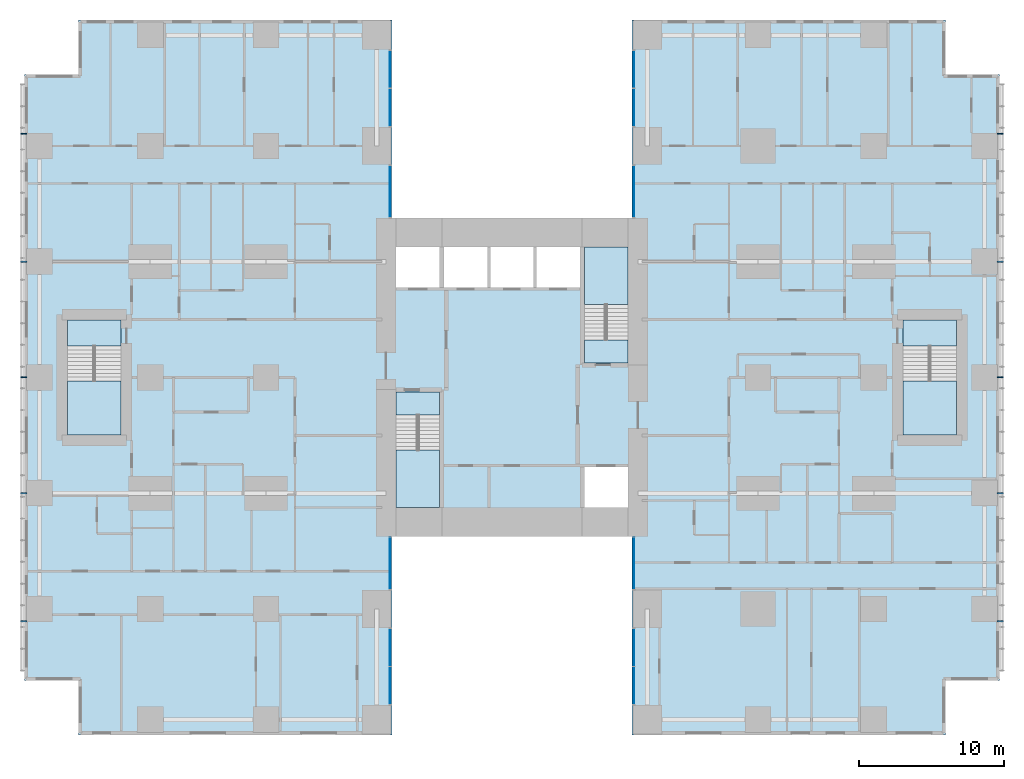
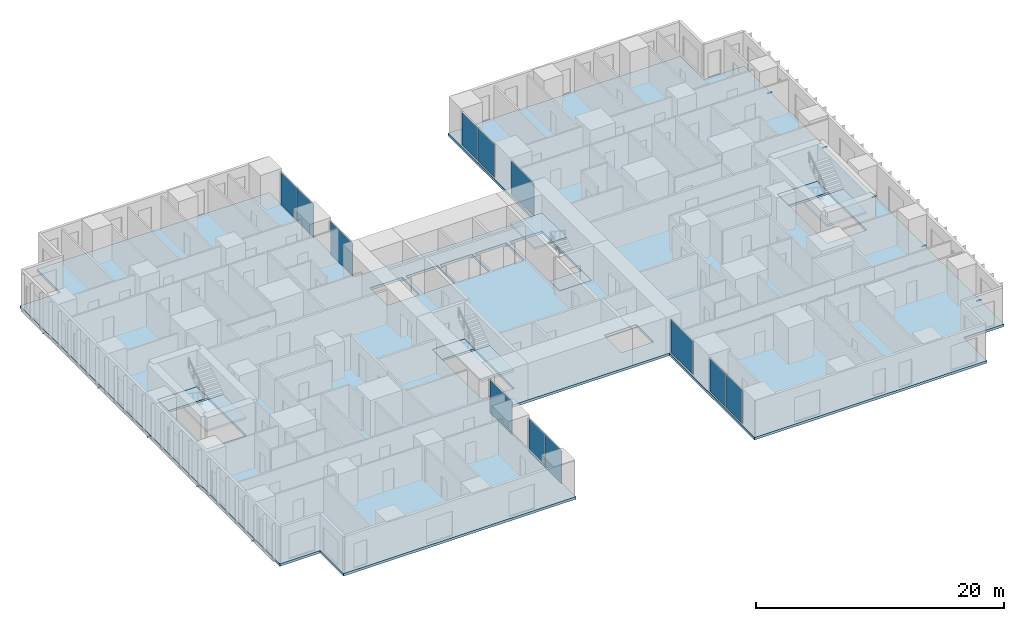
# One storey, part 7 of 20: 12 plates, 10 members, 9 slabs, 12 elements without a shape of their own.
"""IFC4 building model written with IfcOpenShell, lengths in metres."""

from ifc_helpers import new_model, si_unit, direction, frame, origin, origin_2d, place, context, subcontext, project, spatial, polyline, rectangle, hollow_rectangle, outline, extrude, material, layer, layer_set, material_profile, profile_set, type_object, element, aggregate, save


model = new_model("IFC4")

# Units and contexts
model_context = context("Model", 3, precision=1e-05, world=origin(), true_north=direction((0.0, 1.0)))
body_context = subcontext(model_context, "Body", "Model", "MODEL_VIEW")
ifc_project = project(units=[si_unit("LENGTHUNIT", "METRE"), si_unit("AREAUNIT", "SQUARE_METRE"), si_unit("VOLUMEUNIT", "CUBIC_METRE"), si_unit("PLANEANGLEUNIT", "RADIAN"), si_unit("MASSUNIT", "GRAM", prefix="KILO")], contexts=[model_context])

# Site, building, storey
site_placement = place(None, origin())
site = spatial("IfcSite", under=ifc_project, at=site_placement, CompositionType="ELEMENT")
building_placement = place(site_placement, origin())
building = spatial("IfcBuilding", under=site, at=building_placement, Name="Cleftline Residences", CompositionType="ELEMENT")
storey_placement = place(building_placement, frame((0.0, 0.0, 185.800048828125)))
storey = spatial("IfcBuildingStorey", under=building, at=storey_placement, Name="L48", CompositionType="ELEMENT", Elevation=185.800048828125)

# Members
ifc_material_1 = material(Name="Steel S355, hot-dip galvanised", Category="steel")
ifc_material_profile = material_profile(ifc_material_1, hollow_rectangle(XDim=0.10009765625, YDim=0.10009765625, WallThickness=0.008056640625, InnerFilletRadius=0.008056640625, OuterFilletRadius=0.011962890625, at=origin_2d()))
ifc_profile_set = profile_set([ifc_material_profile], Name="Steel S355, hot-dip galvanised")
member_type = type_object("IfcMemberType", Name="BAGUETTE BRACKET SHS 100X100X8", PredefinedType="USERDEFINED", material=ifc_profile_set)
for number, where, z_axis, x_axis, name in (
    (1, (66.5, 7.14990234375, -0.150146484375), (1.0, 0.0, 0.0), (0.0, 1.0, 0.0), "Baguette bracket"),
    (2, (66.5, 16.0, -0.150146484375), (1.0, 0.0, 0.0), (0.0, 1.0, 0.0), "Baguette bracket"),
    (3, (66.5, 24.0, -0.150146484375), (1.0, 0.0, 0.0), (0.0, 1.0, 0.0), "Baguette bracket"),
    (4, (66.5, 32.0, -0.150146484375), (1.0, 0.0, 0.0), (0.0, 1.0, 0.0), "Baguette bracket"),
    (5, (66.5, 40.85009765625, -0.150146484375), (1.0, 0.0, 0.0), (0.0, 1.0, 0.0), "Baguette bracket"),
    (6, (-0.5, 40.85009765625, -0.150146484375), (-1.0, 0.0, 0.0), (0.0, -1.0, 0.0), "Baguette bracket"),
    (7, (-0.5, 32.0, -0.150146484375), (-1.0, 0.0, 0.0), (0.0, -1.0, 0.0), "Baguette bracket"),
    (8, (-0.5, 24.0, -0.150146484375), (-1.0, 0.0, 0.0), (0.0, -1.0, 0.0), "Baguette bracket"),
    (9, (-0.5, 16.0, -0.150146484375), (-1.0, 0.0, 0.0), (0.0, -1.0, 0.0), "Baguette bracket"),
    (10, (-0.5, 7.14990234375, -0.150146484375), (-1.0, 0.0, 0.0), (0.0, -1.0, 0.0), "Baguette bracket"),
):
    element("IfcMember", number, at=place(storey_placement, frame(where, z_axis=z_axis, x_axis=x_axis)), inside=storey, type_object=member_type, Name=name, ObjectType="BAGUETTE BRACKET", PredefinedType="USERDEFINED", context=body_context, shape_type="SweptSolid", body=[
        extrude(hollow_rectangle(XDim=0.10009765625, YDim=0.10009765625, WallThickness=0.008056640625, InnerFilletRadius=0.008056640625, OuterFilletRadius=0.011962890625, at=origin_2d()), origin(), (0.0, 0.0, 1.0), 0.449951171875),
    ])

# Curtain wall, plates
ifc_material_2 = material(Name="Aluminium framed curtain wall", Category="aluminium")
ifc_layer_1 = layer(ifc_material_2, 0.199951171875)
ifc_layer_set_1 = layer_set([ifc_layer_1], Name="CW1 CLEFT GLAZING")
curtain_wall_type = type_object("IfcCurtainWallType", Name="CW1 CLEFT GLAZING", PredefinedType="NOTDEFINED", material=ifc_layer_set_1)
curtain_wall_1_placement = place(storey_placement, origin())
curtain_wall_1 = element("IfcCurtainWall", 11, at=curtain_wall_1_placement, inside=storey, type_object=curtain_wall_type, Name="Curtain wall CW1", PredefinedType="NOTDEFINED")
ifc_material_3 = material(Name="Laminated clear glass", Category="glass")
ifc_layer_2 = layer(ifc_material_3, 0.028076171875)
ifc_layer_set_2 = layer_set([ifc_layer_2], Name="CW1 GLASS PANEL")
plate_type = type_object("IfcPlateType", Name="CW1 GLASS PANEL", PredefinedType="CURTAIN_PANEL", material=ifc_layer_set_2)
plate_1_placement = place(storey_placement, frame((24.574951171875, 2.702392578125, 0.06005859375), z_axis=(0.0, 0.0, 1.0), x_axis=(0.0, 1.0, 0.0)))
plate_1 = element("IfcPlate", 12, at=plate_1_placement, type_object=plate_type, Name="CW1 panel 1.1", PredefinedType="CURTAIN_PANEL", context=body_context, shape_type="SweptSolid", body=[
    extrude(rectangle(XDim=2.5849609375, YDim=0.028076171875, at=origin_2d()), origin(), (0.0, 0.0, 1.0), 3.22998046875),
])
plate_2_placement = place(storey_placement, frame((24.574951171875, 5.347412109375, 0.06005859375), z_axis=(0.0, 0.0, 1.0), x_axis=(0.0, 1.0, 0.0)))
plate_2 = element("IfcPlate", 13, at=plate_2_placement, type_object=plate_type, Name="CW1 panel 2.1", PredefinedType="CURTAIN_PANEL", context=body_context, shape_type="SweptSolid", body=[
    extrude(rectangle(XDim=2.5849609375, YDim=0.028076171875, at=origin_2d()), origin(), (0.0, 0.0, 1.0), 3.22998046875),
])
aggregate(curtain_wall_1, [plate_1, plate_2])

# Curtain wall, plate
curtain_wall_2_placement = place(storey_placement, origin())
curtain_wall_2 = element("IfcCurtainWall", 14, at=curtain_wall_2_placement, inside=storey, type_object=curtain_wall_type, Name="Curtain wall CW1", PredefinedType="NOTDEFINED")
plate_3_placement = place(storey_placement, frame((24.574951171875, 11.14990234375, 0.06005859375), z_axis=(0.0, 0.0, 1.0), x_axis=(0.0, 1.0, 0.0)))
plate_3 = element("IfcPlate", 15, at=plate_3_placement, type_object=plate_type, Name="CW1 panel 1.1", PredefinedType="CURTAIN_PANEL", context=body_context, shape_type="SweptSolid", body=[
    extrude(rectangle(XDim=3.580078125, YDim=0.028076171875, at=origin_2d()), origin(), (0.0, 0.0, 1.0), 3.22998046875),
])
aggregate(curtain_wall_2, [plate_3])

curtain_wall_3_placement = place(storey_placement, origin())
curtain_wall_3 = element("IfcCurtainWall", 16, at=curtain_wall_3_placement, inside=storey, type_object=curtain_wall_type, Name="Curtain wall CW1", PredefinedType="NOTDEFINED")
plate_4_placement = place(storey_placement, frame((41.425048828125, 11.14990234375, 0.06005859375), z_axis=(0.0, 0.0, 1.0), x_axis=(0.0, -1.0, 0.0)))
plate_4 = element("IfcPlate", 17, at=plate_4_placement, type_object=plate_type, Name="CW1 panel 1.1", PredefinedType="CURTAIN_PANEL", context=body_context, shape_type="SweptSolid", body=[
    extrude(rectangle(XDim=3.580078125, YDim=0.028076171875, at=origin_2d()), origin(), (0.0, 0.0, 1.0), 3.22998046875),
])
aggregate(curtain_wall_3, [plate_4])

# Curtain wall, plates
curtain_wall_4_placement = place(storey_placement, origin())
curtain_wall_4 = element("IfcCurtainWall", 18, at=curtain_wall_4_placement, inside=storey, type_object=curtain_wall_type, Name="Curtain wall CW1", PredefinedType="NOTDEFINED")
plate_5_placement = place(storey_placement, frame((41.425048828125, 5.347412109375, 0.06005859375), z_axis=(0.0, 0.0, 1.0), x_axis=(0.0, -1.0, 0.0)))
plate_5 = element("IfcPlate", 19, at=plate_5_placement, type_object=plate_type, Name="CW1 panel 1.1", PredefinedType="CURTAIN_PANEL", context=body_context, shape_type="SweptSolid", body=[
    extrude(rectangle(XDim=2.5849609375, YDim=0.028076171875, at=origin_2d()), origin(), (0.0, 0.0, 1.0), 3.22998046875),
])
plate_6_placement = place(storey_placement, frame((41.425048828125, 2.702392578125, 0.06005859375), z_axis=(0.0, 0.0, 1.0), x_axis=(0.0, -1.0, 0.0)))
plate_6 = element("IfcPlate", 20, at=plate_6_placement, type_object=plate_type, Name="CW1 panel 2.1", PredefinedType="CURTAIN_PANEL", context=body_context, shape_type="SweptSolid", body=[
    extrude(rectangle(XDim=2.5849609375, YDim=0.028076171875, at=origin_2d()), origin(), (0.0, 0.0, 1.0), 3.22998046875),
])
aggregate(curtain_wall_4, [plate_5, plate_6])

curtain_wall_5_placement = place(storey_placement, origin())
curtain_wall_5 = element("IfcCurtainWall", 21, at=curtain_wall_5_placement, inside=storey, type_object=curtain_wall_type, Name="Curtain wall CW1", PredefinedType="NOTDEFINED")
plate_7_placement = place(storey_placement, frame((41.425048828125, 45.297607421875, 0.06005859375), z_axis=(0.0, 0.0, 1.0), x_axis=(0.0, -1.0, 0.0)))
plate_7 = element("IfcPlate", 22, at=plate_7_placement, type_object=plate_type, Name="CW1 panel 1.1", PredefinedType="CURTAIN_PANEL", context=body_context, shape_type="SweptSolid", body=[
    extrude(rectangle(XDim=2.5849609375, YDim=0.028076171875, at=origin_2d()), origin(), (0.0, 0.0, 1.0), 3.22998046875),
])
plate_8_placement = place(storey_placement, frame((41.425048828125, 42.652587890625, 0.06005859375), z_axis=(0.0, 0.0, 1.0), x_axis=(0.0, -1.0, 0.0)))
plate_8 = element("IfcPlate", 23, at=plate_8_placement, type_object=plate_type, Name="CW1 panel 2.1", PredefinedType="CURTAIN_PANEL", context=body_context, shape_type="SweptSolid", body=[
    extrude(rectangle(XDim=2.5849609375, YDim=0.028076171875, at=origin_2d()), origin(), (0.0, 0.0, 1.0), 3.22998046875),
])
aggregate(curtain_wall_5, [plate_7, plate_8])

# Curtain wall, plate
curtain_wall_6_placement = place(storey_placement, origin())
curtain_wall_6 = element("IfcCurtainWall", 24, at=curtain_wall_6_placement, inside=storey, type_object=curtain_wall_type, Name="Curtain wall CW1", PredefinedType="NOTDEFINED")
plate_9_placement = place(storey_placement, frame((41.425048828125, 36.85009765625, 0.06005859375), z_axis=(0.0, 0.0, 1.0), x_axis=(0.0, -1.0, 0.0)))
plate_9 = element("IfcPlate", 25, at=plate_9_placement, type_object=plate_type, Name="CW1 panel 1.1", PredefinedType="CURTAIN_PANEL", context=body_context, shape_type="SweptSolid", body=[
    extrude(rectangle(XDim=3.580078125, YDim=0.028076171875, at=origin_2d()), origin(), (0.0, 0.0, 1.0), 3.22998046875),
])
aggregate(curtain_wall_6, [plate_9])

curtain_wall_7_placement = place(storey_placement, origin())
curtain_wall_7 = element("IfcCurtainWall", 26, at=curtain_wall_7_placement, inside=storey, type_object=curtain_wall_type, Name="Curtain wall CW1", PredefinedType="NOTDEFINED")
plate_10_placement = place(storey_placement, frame((24.574951171875, 36.85009765625, 0.06005859375), z_axis=(0.0, 0.0, 1.0), x_axis=(0.0, 1.0, 0.0)))
plate_10 = element("IfcPlate", 27, at=plate_10_placement, type_object=plate_type, Name="CW1 panel 1.1", PredefinedType="CURTAIN_PANEL", context=body_context, shape_type="SweptSolid", body=[
    extrude(rectangle(XDim=3.580078125, YDim=0.028076171875, at=origin_2d()), origin(), (0.0, 0.0, 1.0), 3.22998046875),
])
aggregate(curtain_wall_7, [plate_10])

# Curtain wall, plates
curtain_wall_8_placement = place(storey_placement, origin())
curtain_wall_8 = element("IfcCurtainWall", 28, at=curtain_wall_8_placement, inside=storey, type_object=curtain_wall_type, Name="Curtain wall CW1", PredefinedType="NOTDEFINED")
plate_11_placement = place(storey_placement, frame((24.574951171875, 42.652587890625, 0.06005859375), z_axis=(0.0, 0.0, 1.0), x_axis=(0.0, 1.0, 0.0)))
plate_11 = element("IfcPlate", 29, at=plate_11_placement, type_object=plate_type, Name="CW1 panel 1.1", PredefinedType="CURTAIN_PANEL", context=body_context, shape_type="SweptSolid", body=[
    extrude(rectangle(XDim=2.5849609375, YDim=0.028076171875, at=origin_2d()), origin(), (0.0, 0.0, 1.0), 3.22998046875),
])
plate_12_placement = place(storey_placement, frame((24.574951171875, 45.297607421875, 0.06005859375), z_axis=(0.0, 0.0, 1.0), x_axis=(0.0, 1.0, 0.0)))
plate_12 = element("IfcPlate", 30, at=plate_12_placement, type_object=plate_type, Name="CW1 panel 2.1", PredefinedType="CURTAIN_PANEL", context=body_context, shape_type="SweptSolid", body=[
    extrude(rectangle(XDim=2.5849609375, YDim=0.028076171875, at=origin_2d()), origin(), (0.0, 0.0, 1.0), 3.22998046875),
])
aggregate(curtain_wall_8, [plate_11, plate_12])

# Slab
ifc_material_4 = material(Name="Concrete B45", Category="concrete")
ifc_layer_3 = layer(ifc_material_4, 0.25)
ifc_layer_set_3 = layer_set([ifc_layer_3], Name="FLOOR SLAB 250")
slab_type_1 = type_object("IfcSlabType", Name="FLOOR SLAB 250", PredefinedType="FLOOR", material=ifc_layer_set_3)
slab_1_placement = place(storey_placement, frame((0.0, 0.0, -0.25)))
element("IfcSlab", 31, at=slab_1_placement, inside=storey, type_object=slab_type_1, Name="Floor slab L48", PredefinedType="FLOOR", context=body_context, shape_type="SweptSolid", body=[
    extrude(outline(polyline([(24.699951171875, 13.0), (41.300048828125, 13.0), (41.300048828125, -0.699951171875), (62.949951171875, -0.699951171875), (62.949951171875, 3.050048828125), (66.699951171875, 3.050048828125), (66.699951171875, 44.949951171875), (62.949951171875, 44.949951171875), (62.949951171875, 48.699951171875), (41.300048828125, 48.699951171875), (41.300048828125, 35.0), (24.699951171875, 35.0), (24.699951171875, 48.699951171875), (3.050048828125, 48.699951171875), (3.050048828125, 44.949951171875), (-0.699951171875, 44.949951171875), (-0.699951171875, 3.050048828125), (3.050048828125, 3.050048828125), (3.050048828125, -0.699951171875), (24.699951171875, -0.699951171875), (24.699951171875, 13.0)]), holes=[polyline([(28.0, 15.0), (28.0, 23.0), (25.0, 23.0), (25.0, 15.0), (28.0, 15.0)]), polyline([(41.0, 25.0), (41.0, 33.0), (38.0, 33.0), (38.0, 25.0), (41.0, 25.0)]), polyline([(28.0, 30.199951171875), (28.0, 33.0), (25.0, 33.0), (25.0, 30.199951171875), (28.0, 30.199951171875)]), polyline([(41.0, 15.0), (41.0, 17.800048828125), (38.0, 17.800048828125), (38.0, 15.0), (41.0, 15.0)]), polyline([(31.300048828125, 30.199951171875), (31.300048828125, 33.0), (28.300048828125, 33.0), (28.300048828125, 30.199951171875), (31.300048828125, 30.199951171875)]), polyline([(34.5, 30.199951171875), (34.5, 33.0), (31.5, 33.0), (31.5, 30.199951171875), (34.5, 30.199951171875)]), polyline([(37.699951171875, 30.199951171875), (37.699951171875, 33.0), (34.699951171875, 33.0), (34.699951171875, 30.199951171875), (37.699951171875, 30.199951171875)]), polyline([(63.72509765625, 20.02490234375), (63.72509765625, 27.97509765625), (60.02490234375, 27.97509765625), (60.02490234375, 20.02490234375), (63.72509765625, 20.02490234375)]), polyline([(5.97509765625, 20.02490234375), (5.97509765625, 27.97509765625), (2.27490234375, 27.97509765625), (2.27490234375, 20.02490234375), (5.97509765625, 20.02490234375)])]), origin(), (0.0, 0.0, 1.0), 0.25),
])

# Stair, slabs
ifc_material_5 = material(Name="Concrete B45, stone treads", Category="masonry")
stair_type_1 = type_object("IfcStairType", Name="STAIR A 1450 WIDE 180 RISER", PredefinedType="HALF_TURN_STAIR", material=ifc_material_5)
stair_1_placement = place(storey_placement, origin())
stair_1 = element("IfcStair", 32, at=stair_1_placement, inside=storey, type_object=stair_type_1, Name="Stair A L48", PredefinedType="HALF_TURN_STAIR")
ifc_material_6 = material(Name="Concrete B45", Category="concrete")
ifc_layer_4 = layer(ifc_material_6, 0.199951171875)
ifc_layer_set_4 = layer_set([ifc_layer_4], Name="STAIR LANDING 200")
slab_type_2 = type_object("IfcSlabType", Name="STAIR LANDING 200", PredefinedType="LANDING", material=ifc_layer_set_4)
slab_2_placement = place(storey_placement, frame((0.0, 0.0, -0.199951171875)))
slab_2 = element("IfcSlab", 33, at=slab_2_placement, type_object=slab_type_2, Name="ST-A landing 1", PredefinedType="LANDING", context=body_context, shape_type="SweptSolid", body=[
    extrude(outline(polyline([(25.0, 21.39990234375), (28.0, 21.39990234375), (28.0, 23.0), (25.0, 23.0), (25.0, 21.39990234375)])), origin(), (0.0, 0.0, 1.0), 0.199951171875),
])
slab_3_placement = place(storey_placement, frame((0.0, 0.0, 1.599853515625)))
slab_3 = element("IfcSlab", 34, at=slab_3_placement, type_object=slab_type_2, Name="ST-A landing 2", PredefinedType="LANDING", context=body_context, shape_type="SweptSolid", body=[
    extrude(outline(polyline([(25.0, 15.0), (28.0, 15.0), (28.0, 18.969970703125), (25.0, 18.969970703125), (25.0, 15.0)])), origin(), (0.0, 0.0, 1.0), 0.2001953125),
])
aggregate(stair_1, [slab_2, slab_3])

ifc_material_7 = material(Name="Concrete B45, stone treads", Category="masonry")
stair_type_2 = type_object("IfcStairType", Name="STAIR B 1450 WIDE 180 RISER", PredefinedType="HALF_TURN_STAIR", material=ifc_material_7)
stair_2_placement = place(storey_placement, origin())
stair_2 = element("IfcStair", 35, at=stair_2_placement, inside=storey, type_object=stair_type_2, Name="Stair B L48", PredefinedType="HALF_TURN_STAIR")
slab_4_placement = place(storey_placement, frame((0.0, 0.0, -0.199951171875)))
slab_4 = element("IfcSlab", 36, at=slab_4_placement, type_object=slab_type_2, Name="ST-B landing 1", PredefinedType="LANDING", context=body_context, shape_type="SweptSolid", body=[
    extrude(outline(polyline([(38.0, 25.0), (41.0, 25.0), (41.0, 26.60009765625), (38.0, 26.60009765625), (38.0, 25.0)])), origin(), (0.0, 0.0, 1.0), 0.199951171875),
])
slab_5_placement = place(storey_placement, frame((0.0, 0.0, 1.599853515625)))
slab_5 = element("IfcSlab", 37, at=slab_5_placement, type_object=slab_type_2, Name="ST-B landing 2", PredefinedType="LANDING", context=body_context, shape_type="SweptSolid", body=[
    extrude(outline(polyline([(38.0, 29.030029296875), (41.0, 29.030029296875), (41.0, 33.0), (38.0, 33.0), (38.0, 29.030029296875)])), origin(), (0.0, 0.0, 1.0), 0.2001953125),
])
aggregate(stair_2, [slab_4, slab_5])

ifc_material_8 = material(Name="Concrete B45, stone treads", Category="masonry")
stair_type_3 = type_object("IfcStairType", Name="STAIR E 1800 WIDE 180 RISER", PredefinedType="HALF_TURN_STAIR", material=ifc_material_8)
stair_3_placement = place(storey_placement, origin())
stair_3 = element("IfcStair", 38, at=stair_3_placement, inside=storey, type_object=stair_type_3, Name="Stair E L48", PredefinedType="HALF_TURN_STAIR")
slab_6_placement = place(storey_placement, frame((0.0, 0.0, -0.199951171875)))
slab_6 = element("IfcSlab", 39, at=slab_6_placement, type_object=slab_type_2, Name="ST-E landing 1", PredefinedType="LANDING", context=body_context, shape_type="SweptSolid", body=[
    extrude(outline(polyline([(60.02490234375, 26.175048828125), (63.72509765625, 26.175048828125), (63.72509765625, 27.97509765625), (60.02490234375, 27.97509765625), (60.02490234375, 26.175048828125)])), origin(), (0.0, 0.0, 1.0), 0.199951171875),
])
slab_7_placement = place(storey_placement, frame((0.0, 0.0, 1.599853515625)))
slab_7 = element("IfcSlab", 40, at=slab_7_placement, type_object=slab_type_2, Name="ST-E landing 2", PredefinedType="LANDING", context=body_context, shape_type="SweptSolid", body=[
    extrude(outline(polyline([(60.02490234375, 20.02490234375), (63.72509765625, 20.02490234375), (63.72509765625, 23.7451171875), (60.02490234375, 23.7451171875), (60.02490234375, 20.02490234375)])), origin(), (0.0, 0.0, 1.0), 0.2001953125),
])
aggregate(stair_3, [slab_6, slab_7])

ifc_material_9 = material(Name="Concrete B45, stone treads", Category="masonry")
stair_type_4 = type_object("IfcStairType", Name="STAIR W 1800 WIDE 180 RISER", PredefinedType="HALF_TURN_STAIR", material=ifc_material_9)
stair_4_placement = place(storey_placement, origin())
stair_4 = element("IfcStair", 41, at=stair_4_placement, inside=storey, type_object=stair_type_4, Name="Stair W L48", PredefinedType="HALF_TURN_STAIR")
slab_8_placement = place(storey_placement, frame((0.0, 0.0, -0.199951171875)))
slab_8 = element("IfcSlab", 42, at=slab_8_placement, type_object=slab_type_2, Name="ST-W landing 1", PredefinedType="LANDING", context=body_context, shape_type="SweptSolid", body=[
    extrude(outline(polyline([(2.27490234375, 26.175048828125), (5.97509765625, 26.175048828125), (5.97509765625, 27.97509765625), (2.27490234375, 27.97509765625), (2.27490234375, 26.175048828125)])), origin(), (0.0, 0.0, 1.0), 0.199951171875),
])
slab_9_placement = place(storey_placement, frame((0.0, 0.0, 1.599853515625)))
slab_9 = element("IfcSlab", 43, at=slab_9_placement, type_object=slab_type_2, Name="ST-W landing 2", PredefinedType="LANDING", context=body_context, shape_type="SweptSolid", body=[
    extrude(outline(polyline([(2.27490234375, 20.02490234375), (5.97509765625, 20.02490234375), (5.97509765625, 23.7451171875), (2.27490234375, 23.7451171875), (2.27490234375, 20.02490234375)])), origin(), (0.0, 0.0, 1.0), 0.2001953125),
])
aggregate(stair_4, [slab_8, slab_9])

save(model, "model.ifc")
